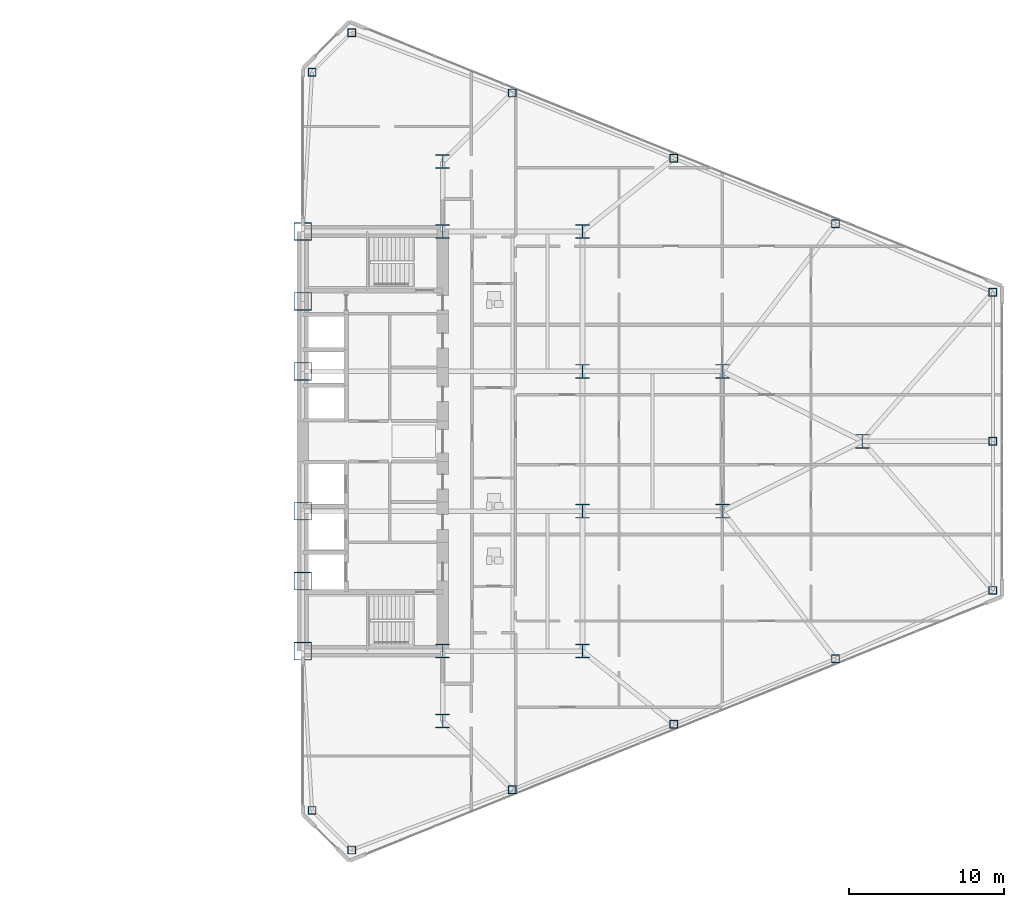
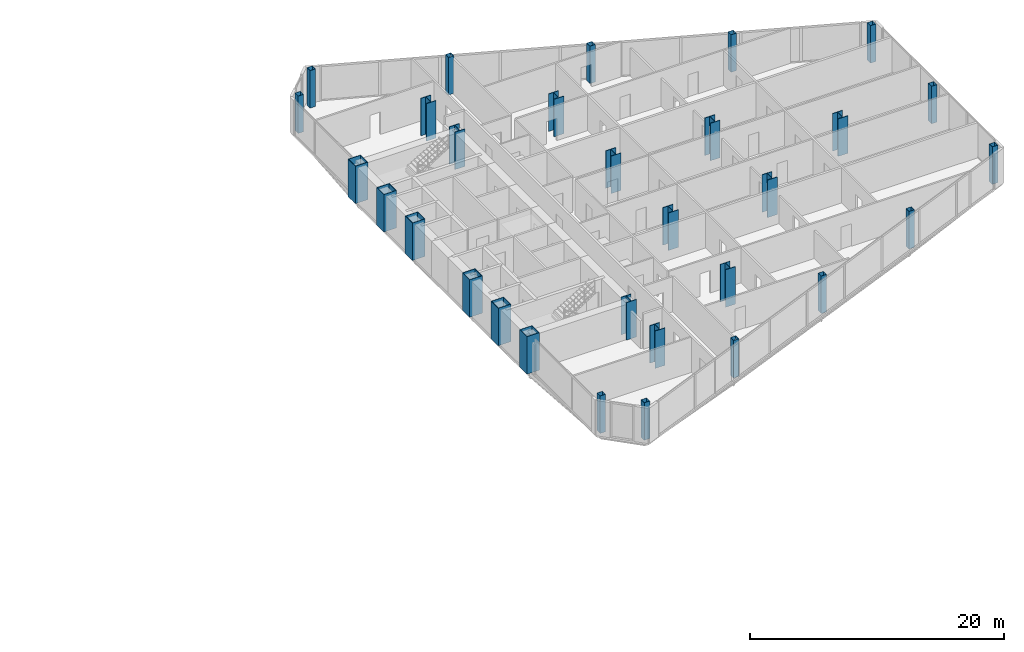
# One storey, part 2 of 25: 30 columns.
"""IFC4 building model written with IfcOpenShell, lengths in metres."""

from ifc_helpers import new_model, si_unit, direction, frame, origin, origin_2d, place, context, subcontext, project, spatial, hollow_rectangle, i_section, extrude, source, transform, mapped, material, material_profile, profile_set, type_object, type_shapes, element, save


model = new_model("IFC4")

# Units and contexts
model_context = context("Model", 3, precision=1e-05, world=origin(), true_north=direction((0.0, 1.0)))
body_context = subcontext(model_context, "Body", "Model", "MODEL_VIEW")
ifc_project = project(units=[si_unit("LENGTHUNIT", "METRE"), si_unit("AREAUNIT", "SQUARE_METRE"), si_unit("VOLUMEUNIT", "CUBIC_METRE"), si_unit("PLANEANGLEUNIT", "RADIAN"), si_unit("MASSUNIT", "GRAM", prefix="KILO")], contexts=[model_context])

# Site, building, storey
site_placement = place(None, origin())
site = spatial("IfcSite", under=ifc_project, at=site_placement, CompositionType="ELEMENT")
building_placement = place(site_placement, origin())
building = spatial("IfcBuilding", under=site, at=building_placement, Name="Seokmaru Belvedere", CompositionType="ELEMENT")
storey_placement = place(building_placement, frame((0.0, 0.0, 26.10009765625)))
storey = spatial("IfcBuildingStorey", under=building, at=storey_placement, Name="L06", CompositionType="ELEMENT", Elevation=26.10009765625)

# Columns
ifc_material_1 = material(Name="Steel HSA650 (650 MPa)", Category="steel")
ifc_material_profile_1 = material_profile(ifc_material_1, hollow_rectangle(XDim=1.14990234375, YDim=1.14990234375, WallThickness=0.048095703125, at=origin_2d()), Name="BOX-1150x1150x48")
ifc_profile_set_1 = profile_set([ifc_material_profile_1], Name="Steel HSA650 (650 MPa)")
column_type_1 = type_object("IfcColumnType", Name="Portal Spine Column BOX-1150", PredefinedType="COLUMN", material=ifc_profile_set_1)
shared_shape_1 = source(origin(), body_context, "Body", "SweptSolid", [
    extrude(hollow_rectangle(XDim=1.14990234375, YDim=1.14990234375, WallThickness=0.048095703125, at=origin_2d()), origin(), (0.0, 0.0, 1.0), 3.599853515625),
])
type_shapes(column_type_1, [shared_shape_1])
for number, where, z_axis, x_axis, name in (
    (1, (27.5, -13.5, 0.0), (0.0, 0.0, 1.0), (1.0, 0.0, 0.0), "L06 Column ES1"),
    (2, (27.5, -9.0, 0.0), (0.0, 0.0, 1.0), (1.0, 0.0, 0.0), "L06 Column ES2"),
    (3, (27.5, -4.5, 0.0), (0.0, 0.0, 1.0), (1.0, 0.0, 0.0), "L06 Column ES3"),
    (4, (27.5, 4.5, 0.0), (0.0, 0.0, 1.0), (1.0, 0.0, 0.0), "L06 Column ES4"),
    (5, (27.5, 9.0, 0.0), (0.0, 0.0, 1.0), (1.0, 0.0, 0.0), "L06 Column ES5"),
    (6, (27.5, 13.5, 0.0), (0.0, 0.0, 1.0), (1.0, 0.0, 0.0), "L06 Column ES6"),
):
    element("IfcColumn", number, at=place(storey_placement, frame(where, z_axis=z_axis, x_axis=x_axis)), inside=storey, type_object=column_type_1, Name=name, PredefinedType="COLUMN", context=body_context, shape_type="MappedRepresentation", body=[
        mapped(shared_shape_1, transform((0.0, 0.0, 0.0), scale=1.0)),
    ])
ifc_material_profile_2 = material_profile(ifc_material_1, i_section(OverallWidth=0.89990234375, OverallDepth=0.89990234375, WebThickness=0.035888671875, FlangeThickness=0.054931640625, at=origin_2d()), Name="H-900x900x36x55")
ifc_profile_set_2 = profile_set([ifc_material_profile_2], Name="Steel HSA650 (650 MPa)")
column_type_2 = type_object("IfcColumnType", Name="Lower Interior Column H-900", PredefinedType="COLUMN", material=ifc_profile_set_2)
shared_shape_2 = source(origin(), body_context, "Body", "SweptSolid", [
    extrude(i_section(OverallWidth=0.89990234375, OverallDepth=0.89990234375, WebThickness=0.035888671875, FlangeThickness=0.054931640625, at=origin_2d()), origin(), (0.0, 0.0, 1.0), 3.599853515625),
])
type_shapes(column_type_2, [shared_shape_2])
for number, where, z_axis, x_axis, name in (
    (7, (36.5, -18.0, 0.0), (0.0, 0.0, 1.0), (1.0, 0.0, 0.0), "L06 Column EC1"),
    (8, (36.5, -13.5, 0.0), (0.0, 0.0, 1.0), (1.0, 0.0, 0.0), "L06 Column EC2"),
    (9, (36.5, 13.5, 0.0), (0.0, 0.0, 1.0), (1.0, 0.0, 0.0), "L06 Column EC3"),
    (10, (36.5, 18.0, 0.0), (0.0, 0.0, 1.0), (1.0, 0.0, 0.0), "L06 Column EC4"),
    (11, (45.5, -13.5, 0.0), (0.0, 0.0, 1.0), (1.0, 0.0, 0.0), "L06 Column EG5_1"),
    (12, (45.5, -4.5, 0.0), (0.0, 0.0, 1.0), (1.0, 0.0, 0.0), "L06 Column EG5_2"),
    (13, (45.5, 4.5, 0.0), (0.0, 0.0, 1.0), (1.0, 0.0, 0.0), "L06 Column EG5_3"),
    (14, (45.5, 13.5, 0.0), (0.0, 0.0, 1.0), (1.0, 0.0, 0.0), "L06 Column EG5_4"),
    (15, (54.5, -4.5, 0.0), (0.0, 0.0, 1.0), (1.0, 0.0, 0.0), "L06 Column EG4P_1"),
    (16, (54.5, 4.5, 0.0), (0.0, 0.0, 1.0), (1.0, 0.0, 0.0), "L06 Column EG4P_2"),
    (17, (63.5, 0.0, 0.0), (0.0, 0.0, 1.0), (1.0, 0.0, 0.0), "L06 Column EG3P_1"),
):
    element("IfcColumn", number, at=place(storey_placement, frame(where, z_axis=z_axis, x_axis=x_axis)), inside=storey, type_object=column_type_2, Name=name, PredefinedType="COLUMN", context=body_context, shape_type="MappedRepresentation", body=[
        mapped(shared_shape_2, transform((0.0, 0.0, 0.0), scale=1.0)),
    ])
ifc_material_2 = material(Name="Steel SM355 (355 MPa)", Category="steel")
ifc_material_profile_3 = material_profile(ifc_material_2, hollow_rectangle(XDim=0.5, YDim=0.5, WallThickness=0.02001953125, at=origin_2d()), Name="HSS-500x500x20")
ifc_profile_set_3 = profile_set([ifc_material_profile_3], Name="Steel SM355 (355 MPa)")
column_type_3 = type_object("IfcColumnType", Name="Perimeter Facet Column HSS-500", PredefinedType="COLUMN", material=ifc_profile_set_3)
shared_shape_3 = source(origin(), body_context, "Body", "SweptSolid", [
    extrude(hollow_rectangle(XDim=0.5, YDim=0.5, WallThickness=0.02001953125, at=origin_2d()), origin(), (0.0, 0.0, 1.0), 3.599853515625),
])
type_shapes(column_type_3, [shared_shape_3])
for number, where, z_axis, x_axis, name in (
    (18, (30.643310546875, -26.294677734375, 0.0), (0.0, 0.0, 1.0), (1.0, 0.0, 0.0), "L06 Column EF1"),
    (19, (71.89990234375, -9.595703125, 0.0), (0.0, 0.0, 1.0), (1.0, 0.0, 0.0), "L06 Column EF2"),
    (20, (71.89990234375, 9.595703125, 0.0), (0.0, 0.0, 1.0), (1.0, 0.0, 0.0), "L06 Column EF3"),
    (21, (30.643310546875, 26.294677734375, 0.0), (0.0, 0.0, 1.0), (1.0, 0.0, 0.0), "L06 Column EF4"),
    (22, (28.10009765625, 23.75146484375, 0.0), (0.0, 0.0, 1.0), (1.0, 0.0, 0.0), "L06 Column EF5"),
    (23, (28.10009765625, -23.75146484375, 0.0), (0.0, 0.0, 1.0), (1.0, 0.0, 0.0), "L06 Column EF6"),
    (24, (40.977294921875, -22.4140625, 0.0), (0.0, 0.0, 1.0), (1.0, 0.0, 0.0), "L06 Column EFLK_S1"),
    (25, (51.378173828125, -18.2041015625, 0.0), (0.0, 0.0, 1.0), (1.0, 0.0, 0.0), "L06 Column EFLK_S2"),
    (26, (61.779052734375, -13.994140625, 0.0), (0.0, 0.0, 1.0), (1.0, 0.0, 0.0), "L06 Column EFLK_S3"),
    (27, (40.977294921875, 22.4140625, 0.0), (0.0, 0.0, 1.0), (1.0, 0.0, 0.0), "L06 Column EFLK_N1"),
    (28, (51.378173828125, 18.2041015625, 0.0), (0.0, 0.0, 1.0), (1.0, 0.0, 0.0), "L06 Column EFLK_N2"),
    (29, (61.779052734375, 13.994140625, 0.0), (0.0, 0.0, 1.0), (1.0, 0.0, 0.0), "L06 Column EFLK_N3"),
    (30, (71.89990234375, 0.0, 0.0), (0.0, 0.0, 1.0), (1.0, 0.0, 0.0), "L06 Column EF_APXM"),
):
    element("IfcColumn", number, at=place(storey_placement, frame(where, z_axis=z_axis, x_axis=x_axis)), inside=storey, type_object=column_type_3, Name=name, PredefinedType="COLUMN", context=body_context, shape_type="MappedRepresentation", body=[
        mapped(shared_shape_3, transform((0.0, 0.0, 0.0), scale=1.0)),
    ])

save(model, "model.ifc")
